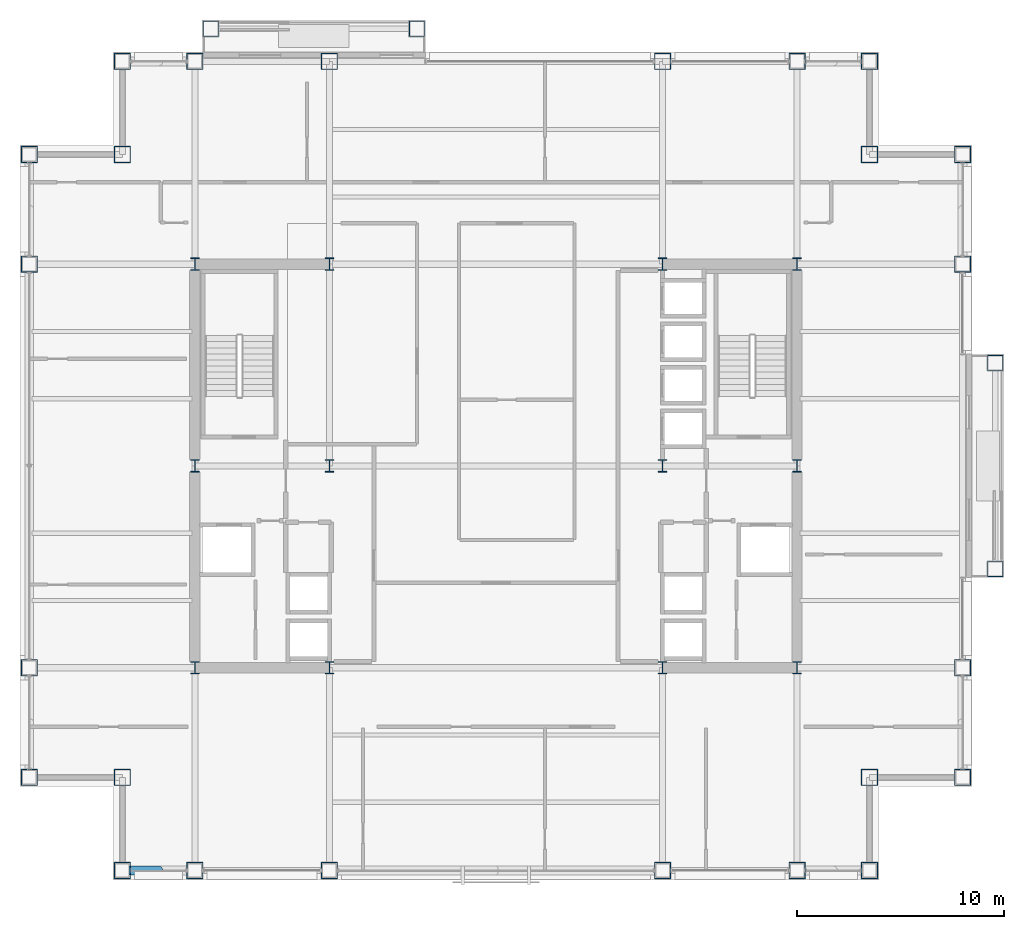
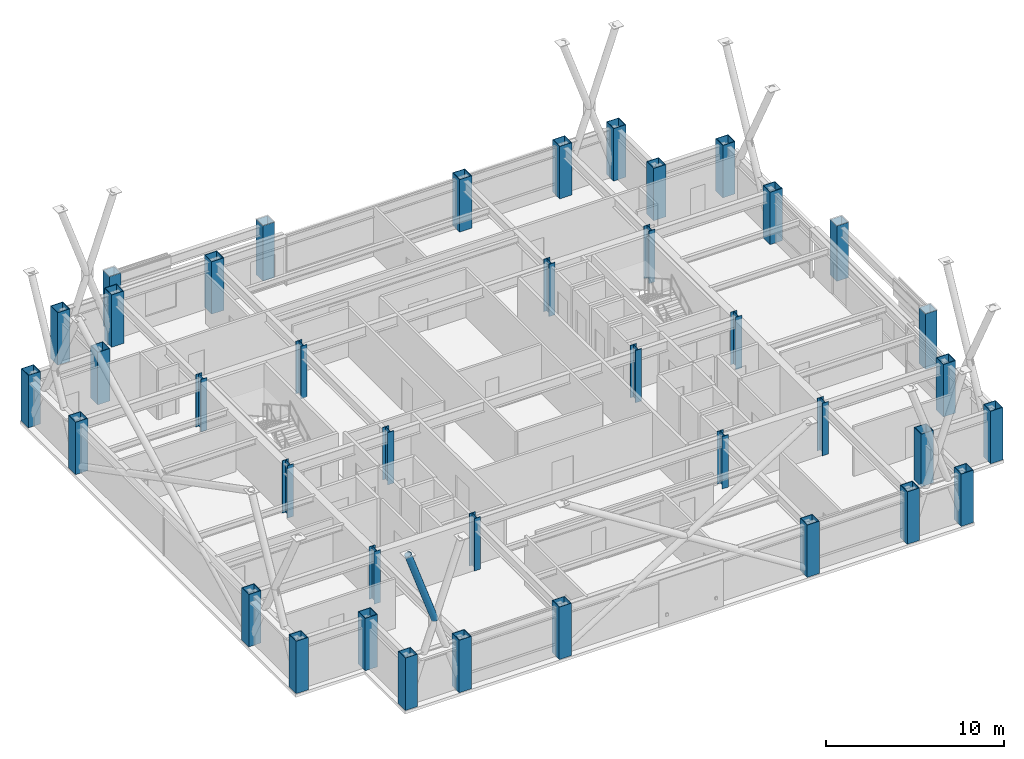
# One storey, part 1 of 33: 40 columns, 1 member.
"""IFC4 building model written with IfcOpenShell, lengths in metres."""

from ifc_helpers import new_model, si_unit, direction, frame, origin, origin_2d, place, context, subcontext, project, spatial, hollow_rectangle, hollow_circle, i_section, extrude, material, material_profile, profile_set, type_object, element, save


model = new_model("IFC4")

# Units and contexts
model_context = context("Model", 3, precision=1e-05, world=origin(), true_north=direction((0.0, 1.0)))
body_context = subcontext(model_context, "Body", "Model", "MODEL_VIEW")
ifc_project = project(units=[si_unit("LENGTHUNIT", "METRE"), si_unit("AREAUNIT", "SQUARE_METRE"), si_unit("VOLUMEUNIT", "CUBIC_METRE"), si_unit("PLANEANGLEUNIT", "RADIAN"), si_unit("MASSUNIT", "GRAM", prefix="KILO")], contexts=[model_context])

# Site, building, storey
site_placement = place(None, origin())
site = spatial("IfcSite", under=ifc_project, at=site_placement, CompositionType="ELEMENT")
building_placement = place(site_placement, origin())
building = spatial("IfcBuilding", under=site, at=building_placement, Name="Brelmoor Portico Tower", CompositionType="ELEMENT")
storey_placement = place(building_placement, frame((0.0, 0.0, 120.60009765625)))
storey = spatial("IfcBuildingStorey", under=building, at=storey_placement, Name="L31", CompositionType="ELEMENT", Elevation=120.60009765625)

# Columns
ifc_material = material(Name="Steel Q355B", Category="steel")
ifc_material_profile_1 = material_profile(ifc_material, hollow_rectangle(XDim=0.75, YDim=0.75, WallThickness=0.031982421875, at=origin_2d()), Name="BOX 750x750x32")
ifc_profile_set_1 = profile_set([ifc_material_profile_1], Name="Steel Q355B")
column_type_1 = type_object("IfcColumnType", Name="COL-MEGA-750", PredefinedType="COLUMN", material=ifc_profile_set_1)
for number, where, z_axis, x_axis, name in (
    (1, (-13.780029296875, 21.1298828125, -0.2001953125), (0.0, 0.0, 1.0), (1.0, 0.0, 0.0), "L31 Proud Picture-Frame Pier PFJ-N1"),
    (2, (-3.820068359375, 21.1298828125, -0.2001953125), (0.0, 0.0, 1.0), (1.0, 0.0, 0.0), "L31 Proud Picture-Frame Pier PFJ-N2"),
    (3, (24.1298828125, -4.97998046875, -0.2001953125), (0.0, 0.0, 1.0), (0.0, 1.0, 0.0), "L31 Proud Picture-Frame Pier PFJ-E1"),
    (4, (24.1298828125, 4.97998046875, -0.2001953125), (0.0, 0.0, 1.0), (0.0, 1.0, 0.0), "L31 Proud Picture-Frame Pier PFJ-E2"),
):
    element("IfcColumn", number, at=place(storey_placement, frame(where, z_axis=z_axis, x_axis=x_axis)), inside=storey, type_object=column_type_1, Name=name, PredefinedType="COLUMN", context=body_context, shape_type="SweptSolid", body=[
        extrude(hollow_rectangle(XDim=0.75, YDim=0.75, WallThickness=0.031982421875, at=origin_2d()), origin(), (0.0, 0.0, 1.0), 3.800048828125),
    ])
ifc_material_profile_2 = material_profile(ifc_material, hollow_rectangle(XDim=0.800048828125, YDim=0.800048828125, WallThickness=0.035888671875, at=origin_2d()), Name="BOX 800x800x36")
ifc_profile_set_2 = profile_set([ifc_material_profile_2], Name="Steel Q355B")
column_type_2 = type_object("IfcColumnType", Name="COL-MEGA-800", PredefinedType="COLUMN", material=ifc_profile_set_2)
for number, where, z_axis, x_axis, name in (
    (5, (-18.050048828125, -19.550048828125, 0.0), (0.0, 0.0, 1.0), (1.0, 0.0, 0.0), "L31 Perimeter Mega-Column PS01"),
    (6, (-14.550048828125, -19.550048828125, 0.0), (0.0, 0.0, 1.0), (1.0, 0.0, 0.0), "L31 Perimeter Mega-Column PS02"),
    (7, (-8.050048828125, -19.550048828125, 0.0), (0.0, 0.0, 1.0), (1.0, 0.0, 0.0), "L31 Perimeter Mega-Column PS03"),
    (8, (8.050048828125, -19.550048828125, 0.0), (0.0, 0.0, 1.0), (1.0, 0.0, 0.0), "L31 Perimeter Mega-Column PS04"),
    (9, (14.550048828125, -19.550048828125, 0.0), (0.0, 0.0, 1.0), (1.0, 0.0, 0.0), "L31 Perimeter Mega-Column PS05"),
    (10, (18.050048828125, -19.550048828125, 0.0), (0.0, 0.0, 1.0), (1.0, 0.0, 0.0), "L31 Perimeter Mega-Column PS06"),
    (11, (-18.050048828125, 19.550048828125, 0.0), (0.0, 0.0, 1.0), (1.0, 0.0, 0.0), "L31 Perimeter Mega-Column PN01"),
    (12, (-14.550048828125, 19.550048828125, 0.0), (0.0, 0.0, 1.0), (1.0, 0.0, 0.0), "L31 Perimeter Mega-Column PN02"),
    (13, (-8.050048828125, 19.550048828125, 0.0), (0.0, 0.0, 1.0), (1.0, 0.0, 0.0), "L31 Perimeter Mega-Column PN03"),
    (14, (8.050048828125, 19.550048828125, 0.0), (0.0, 0.0, 1.0), (1.0, 0.0, 0.0), "L31 Perimeter Mega-Column PN04"),
    (15, (14.550048828125, 19.550048828125, 0.0), (0.0, 0.0, 1.0), (1.0, 0.0, 0.0), "L31 Perimeter Mega-Column PN05"),
    (16, (18.050048828125, 19.550048828125, 0.0), (0.0, 0.0, 1.0), (1.0, 0.0, 0.0), "L31 Perimeter Mega-Column PN06"),
    (17, (-22.550048828125, -15.050048828125, 0.0), (0.0, 0.0, 1.0), (0.0, 1.0, 0.0), "L31 Perimeter Mega-Column PW01"),
    (18, (-22.550048828125, -9.75, 0.0), (0.0, 0.0, 1.0), (0.0, 1.0, 0.0), "L31 Perimeter Mega-Column PW02"),
    (19, (-22.550048828125, 9.75, 0.0), (0.0, 0.0, 1.0), (0.0, 1.0, 0.0), "L31 Perimeter Mega-Column PW03"),
    (20, (-22.550048828125, 15.050048828125, 0.0), (0.0, 0.0, 1.0), (0.0, 1.0, 0.0), "L31 Perimeter Mega-Column PW04"),
    (21, (22.550048828125, -15.050048828125, 0.0), (0.0, 0.0, 1.0), (0.0, 1.0, 0.0), "L31 Perimeter Mega-Column PE01"),
    (22, (22.550048828125, -9.75, 0.0), (0.0, 0.0, 1.0), (0.0, 1.0, 0.0), "L31 Perimeter Mega-Column PE02"),
    (23, (22.550048828125, 9.75, 0.0), (0.0, 0.0, 1.0), (0.0, 1.0, 0.0), "L31 Perimeter Mega-Column PE03"),
    (24, (22.550048828125, 15.050048828125, 0.0), (0.0, 0.0, 1.0), (0.0, 1.0, 0.0), "L31 Perimeter Mega-Column PE04"),
    (25, (-18.050048828125, 15.050048828125, 0.0), (0.0, 0.0, 1.0), (1.0, 0.0, 0.0), "L31 Perimeter Mega-Column PC-NW"),
    (26, (18.050048828125, 15.050048828125, 0.0), (0.0, 0.0, 1.0), (1.0, 0.0, 0.0), "L31 Perimeter Mega-Column PC-NE"),
    (27, (18.050048828125, -15.050048828125, 0.0), (0.0, 0.0, 1.0), (1.0, 0.0, 0.0), "L31 Perimeter Mega-Column PC-SE"),
    (28, (-18.050048828125, -15.050048828125, 0.0), (0.0, 0.0, 1.0), (1.0, 0.0, 0.0), "L31 Perimeter Mega-Column PC-SW"),
):
    element("IfcColumn", number, at=place(storey_placement, frame(where, z_axis=z_axis, x_axis=x_axis)), inside=storey, type_object=column_type_2, Name=name, PredefinedType="COLUMN", context=body_context, shape_type="SweptSolid", body=[
        extrude(hollow_rectangle(XDim=0.800048828125, YDim=0.800048828125, WallThickness=0.035888671875, at=origin_2d()), origin(), (0.0, 0.0, 1.0), 3.599853515625),
    ])
ifc_material_profile_3 = material_profile(ifc_material, i_section(OverallWidth=0.39990234375, OverallDepth=0.60009765625, WebThickness=0.02197265625, FlangeThickness=0.035888671875, at=origin_2d()), Name="HW 600x400x22x36")
ifc_profile_set_3 = profile_set([ifc_material_profile_3], Name="Steel Q355B")
column_type_3 = type_object("IfcColumnType", Name="COL-SPINE-600", PredefinedType="COLUMN", material=ifc_profile_set_3)
for number, where, z_axis, x_axis, name in (
    (29, (-14.550048828125, -9.75, 0.0), (0.0, 0.0, 1.0), (1.0, 0.0, 0.0), "L31 Core Spine Column CW-SW"),
    (30, (-14.550048828125, 0.0, 0.0), (0.0, 0.0, 1.0), (1.0, 0.0, 0.0), "L31 Core Spine Column CW-MW"),
    (31, (-14.550048828125, 9.75, 0.0), (0.0, 0.0, 1.0), (1.0, 0.0, 0.0), "L31 Core Spine Column CW-NW"),
    (32, (-8.050048828125, -9.75, 0.0), (0.0, 0.0, 1.0), (1.0, 0.0, 0.0), "L31 Core Spine Column CW-SE"),
    (33, (-8.050048828125, 0.0, 0.0), (0.0, 0.0, 1.0), (1.0, 0.0, 0.0), "L31 Core Spine Column CW-ME"),
    (34, (-8.050048828125, 9.75, 0.0), (0.0, 0.0, 1.0), (1.0, 0.0, 0.0), "L31 Core Spine Column CW-NE"),
    (35, (8.050048828125, -9.75, 0.0), (0.0, 0.0, 1.0), (1.0, 0.0, 0.0), "L31 Core Spine Column CE-SW"),
    (36, (8.050048828125, 0.0, 0.0), (0.0, 0.0, 1.0), (1.0, 0.0, 0.0), "L31 Core Spine Column CE-MW"),
    (37, (8.050048828125, 9.75, 0.0), (0.0, 0.0, 1.0), (1.0, 0.0, 0.0), "L31 Core Spine Column CE-NW"),
    (38, (14.550048828125, -9.75, 0.0), (0.0, 0.0, 1.0), (1.0, 0.0, 0.0), "L31 Core Spine Column CE-SE"),
    (39, (14.550048828125, 0.0, 0.0), (0.0, 0.0, 1.0), (1.0, 0.0, 0.0), "L31 Core Spine Column CE-ME"),
    (40, (14.550048828125, 9.75, 0.0), (0.0, 0.0, 1.0), (1.0, 0.0, 0.0), "L31 Core Spine Column CE-NE"),
):
    element("IfcColumn", number, at=place(storey_placement, frame(where, z_axis=z_axis, x_axis=x_axis)), inside=storey, type_object=column_type_3, Name=name, PredefinedType="COLUMN", context=body_context, shape_type="SweptSolid", body=[
        extrude(i_section(OverallWidth=0.39990234375, OverallDepth=0.60009765625, WebThickness=0.02197265625, FlangeThickness=0.035888671875, at=origin_2d()), origin(), (0.0, 0.0, 1.0), 3.599853515625),
    ])

# Member
ifc_material_profile_4 = material_profile(ifc_material, hollow_circle(Radius=0.212890625, WallThickness=0.02001953125, at=origin_2d()), Name="CHS 426x20")
ifc_profile_set_4 = profile_set([ifc_material_profile_4], Name="Steel Q355B")
member_type = type_object("IfcMemberType", Name="MB-BELT-DIAG1", PredefinedType="BRACE", material=ifc_profile_set_4)
member_placement = place(storey_placement, frame((-16.300048828125, -19.550048828125, 5.2998046875), z_axis=(-0.327429033028, 0.0, 0.94487577402), x_axis=(0.0, -1.0, 0.0)))
element("IfcMember", 41, at=member_placement, inside=storey, type_object=member_type, Name="L31 Split Mega-X Brace 064B2", PredefinedType="BRACE", context=body_context, shape_type="SweptSolid", body=[
    extrude(hollow_circle(Radius=0.212890625, WallThickness=0.02001953125, at=origin_2d()), origin(), (0.0, 0.0, 1.0), 5.3447265625),
])

save(model, "model.ifc")
